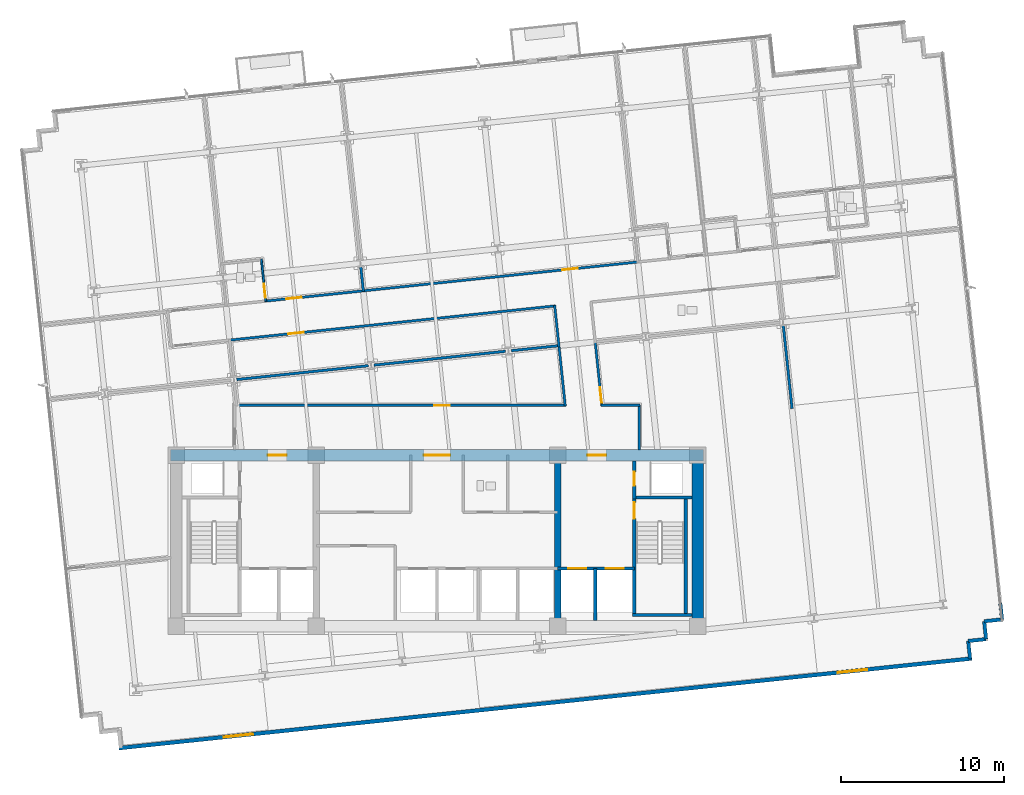
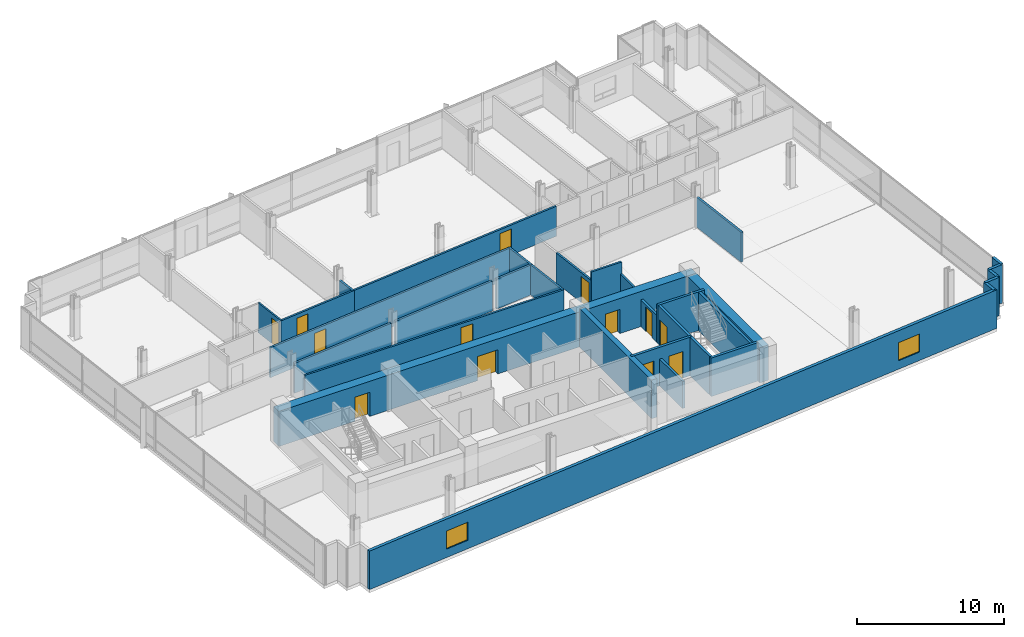
# One storey, part 14 of 21: 31 walls, 13 doors, 2 windows, 15 openings.
"""IFC4 building model written with IfcOpenShell, lengths in metres."""

import ifcopenshell
import ifcopenshell.guid

model = None  # the IFC model being written
_history = None  # IfcOwnerHistory: only IFC2X3 demands one
_inside = {}  # id of a spatial element -> (the spatial element, [elements in it])
_under = {}  # id of a project, library or spatial element -> (it, [spatial elements below it])
_declared = {}  # id of a project -> (the project, [libraries it declares])
_typed = {}  # id of a type object -> (the type object, [elements of that type])
_made_of = {}  # id of a material, layer set ... -> (it, [elements and type objects made of it])


def new_model(schema):
    """Start an empty IFC model of exactly this schema.

    Asked for "IFC4X3", IfcOpenShell would pick the latest addendum, in which some entities
    have other attributes; the version numbers below select the first issue.
    IFC2X3 requires an IfcOwnerHistory on every rooted entity: one is made here for all.
    """
    global model, _history
    if schema == "IFC4X3":
        model = ifcopenshell.file(schema_version=(4, 3, 0, 0))
    else:
        model = ifcopenshell.file(schema=schema)
    _inside.clear()
    _under.clear()
    _declared.clear()
    _typed.clear()
    _made_of.clear()
    _history = None
    if model.schema == "IFC2X3":
        org = make("IfcOrganization", Name="unknown")
        user = make(
            "IfcPersonAndOrganization",
            ThePerson=make("IfcPerson", FamilyName="unknown"),
            TheOrganization=org,
        )
        app = make(
            "IfcApplication",
            ApplicationDeveloper=org,
            Version="unknown",
            ApplicationFullName="unknown",
            ApplicationIdentifier="unknown",
        )
        _history = make(
            "IfcOwnerHistory",
            OwningUser=user,
            OwningApplication=app,
            ChangeAction="ADDED",
            CreationDate=0,
        )
    return model


def make(cls, **values):
    """One entity of the class cls with the attributes given. An attribute that is None is left unset."""
    return model.create_entity(
        cls, **{name: value for name, value in values.items() if value is not None}
    )


def rooted(cls, **values):
    """An entity with a GlobalId (a new one), such as an element, a storey or a relation."""
    return make(cls, GlobalId=ifcopenshell.guid.new(), OwnerHistory=_history, **values)


def si_unit(unit_type, name, prefix=None):
    """IfcSIUnit, for example si_unit("LENGTHUNIT", "METRE", prefix="MILLI")."""
    return make("IfcSIUnit", UnitType=unit_type, Prefix=prefix, Name=name)


def assignment(units):
    """IfcUnitAssignment: the units of a project."""
    return None if units is None else make("IfcUnitAssignment", Units=units)


def point(xyz):
    """IfcCartesianPoint."""
    return None if xyz is None else make("IfcCartesianPoint", Coordinates=xyz)


def direction(xyz):
    """IfcDirection."""
    return None if xyz is None else make("IfcDirection", DirectionRatios=xyz)


def frame(location, z_axis=None, x_axis=None):
    """IfcAxis2Placement3D, a coordinate frame: its origin and axes. An axis left out is left unset."""
    return make(
        "IfcAxis2Placement3D",
        Location=point(location),
        Axis=direction(z_axis),
        RefDirection=direction(x_axis),
    )


def frame_2d(location, x_axis=None):
    """IfcAxis2Placement2D, a coordinate frame in the plane: its origin and x axis."""
    return make(
        "IfcAxis2Placement2D", Location=point(location), RefDirection=direction(x_axis)
    )


def origin():
    """The frame at (0, 0, 0) with its axes left unset."""
    return frame((0.0, 0.0, 0.0))


def place(relative_to, where):
    """IfcLocalPlacement: puts the frame where relative to a parent placement (None: the world)."""
    return make(
        "IfcLocalPlacement", PlacementRelTo=relative_to, RelativePlacement=where
    )


def context(
    kind, dimensions, precision=None, world=None, true_north=None, identifier=None
):
    """IfcGeometricRepresentationContext, for example the 3D "Model" context."""
    return make(
        "IfcGeometricRepresentationContext",
        ContextIdentifier=identifier,
        ContextType=kind,
        CoordinateSpaceDimension=dimensions,
        Precision=precision,
        WorldCoordinateSystem=world,
        TrueNorth=true_north,
    )


def subcontext(parent, identifier, kind, view, scale=None):
    """IfcGeometricRepresentationSubContext, for example "Body" below "Model"."""
    return make(
        "IfcGeometricRepresentationSubContext",
        ContextIdentifier=identifier,
        ContextType=kind,
        ParentContext=parent,
        TargetScale=scale,
        TargetView=view,
    )


def project(units=None, contexts=None):
    """IfcProject with its units and contexts."""
    return rooted(
        "IfcProject",
        Name="project",
        RepresentationContexts=contexts,
        UnitsInContext=assignment(units),
    )


def spatial(cls, under=None, at=None, **own):
    """A site, building, storey or space (cls), placed at a placement, below another one or the project."""
    s = rooted(cls, ObjectPlacement=at, **own)
    if under is not None:
        _under.setdefault(under.id(), (under, []))[1].append(s)
    return s


def profile(cls, at=None, kind="AREA", **sizes):
    """A parametric profile (cls). Its sizes go by their IFC names, for example OverallWidth=200.0."""
    return make(cls, ProfileType=kind, Position=at, **sizes)


def rectangle(**sizes):
    """IfcRectangleProfileDef."""
    return profile("IfcRectangleProfileDef", **sizes)


def extrude(swept, where, along, depth):
    """IfcExtrudedAreaSolid: the profile swept, set in the frame where, extruded along a direction by depth."""
    return make(
        "IfcExtrudedAreaSolid",
        SweptArea=swept,
        Position=where,
        ExtrudedDirection=direction(along),
        Depth=depth,
    )


def shape(context_of_items, identifier, shape_type, items):
    """IfcShapeRepresentation: the items that make up one representation, for example the "Body"."""
    return make(
        "IfcShapeRepresentation",
        ContextOfItems=context_of_items,
        RepresentationIdentifier=identifier,
        RepresentationType=shape_type,
        Items=items,
    )


def material(Name=None, Category=None):
    """IfcMaterial."""
    return make("IfcMaterial", Name=Name, Category=Category)


def layer(
    of_material, thickness, ventilated=None, Name=None, Category=None, Priority=None
):
    """IfcMaterialLayer: one layer of a wall or slab, of a material (None: an air gap)."""
    return make(
        "IfcMaterialLayer",
        Material=of_material,
        LayerThickness=thickness,
        IsVentilated=ventilated,
        Name=Name,
        Category=Category,
        Priority=Priority,
    )


def layer_set(layers, Name=None):
    """IfcMaterialLayerSet."""
    return make("IfcMaterialLayerSet", MaterialLayers=layers, LayerSetName=Name)


def made_of(thing, what):
    """Note that an element or type object is made of a material, layer set ...; save() writes the relation."""
    if what is not None:
        _made_of.setdefault(what.id(), (what, []))[1].append(thing)
    return thing


def type_object(cls, material=None, **own):
    """A type object (cls), such as IfcWallType, which elements share."""
    return made_of(rooted(cls, **own), material)


def element(
    cls,
    number,
    at=None,
    inside=None,
    cuts=None,
    type_object=None,
    material=None,
    context=None,
    identifier="Body",
    shape_type=None,
    held_by="IfcProductDefinitionShape",
    body=None,
    shapes=None,
    **own,
):
    """One element of the class cls, such as IfcWall. Its Tag is "e" and its number.

    at: its placement. inside: the storey or other place that contains it. cuts: it is an
    opening in that element (IfcRelVoidsElement). A single representation is given by context,
    identifier, shape_type and body (its items); several are given by shapes. held_by: the class
    of the entity that holds the representations. save() writes the other relations.
    """
    e = rooted(cls, Tag="e%d" % number, ObjectPlacement=at, **own)
    if body is not None:
        shapes = [shape(context, identifier, shape_type, body)]
    if shapes is not None:
        e.Representation = make(held_by, Representations=shapes)
    if inside is not None:
        _inside.setdefault(inside.id(), (inside, []))[1].append(e)
    if cuts is not None:
        rooted(
            "IfcRelVoidsElement", RelatingBuildingElement=cuts, RelatedOpeningElement=e
        )
    if type_object is not None:
        _typed.setdefault(type_object.id(), (type_object, []))[1].append(e)
    return made_of(e, material)


def fill(opening, filler):
    """IfcRelFillsElement: the door or window that sits in an opening."""
    return rooted(
        "IfcRelFillsElement",
        RelatingOpeningElement=opening,
        RelatedBuildingElement=filler,
    )


def aggregate(whole, parts):
    """IfcRelAggregates: a whole, such as a stair, and the parts it consists of."""
    return rooted("IfcRelAggregates", RelatingObject=whole, RelatedObjects=parts)


def save(model, path):
    """Write the relations noted so far, then the file.

    IfcRelAggregates (storeys below a building ...), IfcRelContainedInSpatialStructure (elements
    in a storey), IfcRelDefinesByType, IfcRelAssociatesMaterial and IfcRelDeclares: one each for
    every whole, place, type object, material and project.
    """
    for whole, parts in _under.values():
        aggregate(whole, parts)
    for where, things in _inside.values():
        rooted(
            "IfcRelContainedInSpatialStructure",
            RelatedElements=things,
            RelatingStructure=where,
        )
    for kind, things in _typed.values():
        rooted("IfcRelDefinesByType", RelatedObjects=things, RelatingType=kind)
    for what, things in _made_of.values():
        rooted("IfcRelAssociatesMaterial", RelatedObjects=things, RelatingMaterial=what)
    for by, libraries in _declared.values():
        rooted("IfcRelDeclares", RelatingContext=by, RelatedDefinitions=libraries)
    model.write(path)


model = new_model("IFC4")

# Units and contexts
model_context = context("Model", 3, precision=1e-05, world=origin(), true_north=direction((0.0, 1.0)))
body_context = subcontext(model_context, "Body", "Model", "MODEL_VIEW")
ifc_project = project(units=[si_unit("LENGTHUNIT", "METRE"), si_unit("AREAUNIT", "SQUARE_METRE"), si_unit("VOLUMEUNIT", "CUBIC_METRE"), si_unit("PLANEANGLEUNIT", "RADIAN"), si_unit("MASSUNIT", "GRAM", prefix="KILO")], contexts=[model_context])

# Site, building, storey
site_placement = place(None, origin())
site = spatial("IfcSite", under=ifc_project, at=site_placement, CompositionType="ELEMENT")
building_placement = place(site_placement, origin())
building = spatial("IfcBuilding", under=site, at=building_placement, Name="Solmavex Isthmus Hotel", CompositionType="ELEMENT")
storey_placement = place(building_placement, frame((0.0, 0.0, 113.25)))
storey = spatial("IfcBuildingStorey", under=building, at=storey_placement, Name="L30", CompositionType="ELEMENT", Elevation=113.25)

# Wall, openings, windows
ifc_material_1 = material(Name="Precast Concrete C40/50", Category="concrete")
ifc_layer_1 = layer(ifc_material_1, 0.25)
ifc_layer_set_1 = layer_set([ifc_layer_1], Name="Precast Concrete C40/50")
wall_type_1 = type_object("IfcWallType", Name="EW-TWR-250", PredefinedType="STANDARD", material=ifc_layer_set_1)
wall_1_placement = place(storey_placement, frame((-19.504150390625, -20.4716796875, 0.0), z_axis=(0.0, 0.0, 1.0), x_axis=(0.994521743132, 0.104529911687, 0.0)))
wall_1 = element("IfcWall", 1, at=wall_1_placement, inside=storey, type_object=wall_type_1, Name="Tower Rear South Facade Wall L30", PredefinedType="STANDARD", context=body_context, shape_type="SweptSolid", body=[
    extrude(rectangle(XDim=52.60009765625, YDim=0.239990234375, at=frame_2d((26.300048828125, 0.0))), origin(), (0.0, 0.0, 1.0), 3.18994140625),
])
opening_1_placement = place(wall_1_placement, frame((6.464111328125, 0.0, 0.699951171875)))
opening_1 = element("IfcOpeningElement", 2, at=opening_1_placement, cuts=wall_1, Name="Opening WN-02", PredefinedType="OPENING", context=body_context, shape_type="SweptSolid", body=[
    extrude(rectangle(XDim=1.800048828125, YDim=1.5, at=frame_2d((0.89990234375, 0.75))), frame((0.0, 0.1298828125, 0.0), z_axis=(0.0, -1.0, 0.0), x_axis=(1.0, 0.0, 0.0)), (0.0, 0.0, 1.0), 0.260009765625),
])
opening_2_placement = place(wall_1_placement, frame((44.3359375, 0.0, 0.699951171875)))
opening_2 = element("IfcOpeningElement", 3, at=opening_2_placement, cuts=wall_1, Name="Opening WN-02", PredefinedType="OPENING", context=body_context, shape_type="SweptSolid", body=[
    extrude(rectangle(XDim=1.800048828125, YDim=1.5, at=frame_2d((0.89990234375, 0.75))), frame((0.0, 0.1298828125, 0.0), z_axis=(0.0, -1.0, 0.0), x_axis=(1.0, 0.0, 0.0)), (0.0, 0.0, 1.0), 0.260009765625),
])
ifc_material_2 = material(Name="Clear low-E laminated glass", Category="glass")
window_type = type_object("IfcWindowType", Name="WIN-TWR-1800", PartitioningType="SINGLE_PANEL", PredefinedType="WINDOW", material=ifc_material_2)
window_1_placement = place(opening_1_placement, origin())
window_1 = element("IfcWindow", 4, at=window_1_placement, inside=storey, type_object=window_type, Name="South Facade Vision Window L30-S1", OverallHeight=1.5, OverallWidth=1.800048828125, PartitioningType="SINGLE_PANEL", PredefinedType="WINDOW", context=body_context, shape_type="SweptSolid", body=[
    extrude(rectangle(XDim=1.800048828125, YDim=1.5, at=frame_2d((0.89990234375, 0.75))), frame((0.0, 0.030029296875, 0.0), z_axis=(0.0, -1.0, 0.0), x_axis=(1.0, 0.0, 0.0)), (0.0, 0.0, 1.0), 0.06005859375),
])
fill(opening_1, window_1)
window_2_placement = place(opening_2_placement, origin())
window_2 = element("IfcWindow", 5, at=window_2_placement, inside=storey, type_object=window_type, Name="South Facade Vision Window L30-S2", OverallHeight=1.5, OverallWidth=1.800048828125, PartitioningType="SINGLE_PANEL", PredefinedType="WINDOW", context=body_context, shape_type="SweptSolid", body=[
    extrude(rectangle(XDim=1.800048828125, YDim=1.5, at=frame_2d((0.89990234375, 0.75))), frame((0.0, 0.030029296875, 0.0), z_axis=(0.0, -1.0, 0.0), x_axis=(1.0, 0.0, 0.0)), (0.0, 0.0, 1.0), 0.06005859375),
])
fill(opening_2, window_2)

# Walls
wall_2_placement = place(storey_placement, frame((34.553955078125, -11.59228515625, 0.0), z_axis=(0.0, 0.0, 1.0), x_axis=(0.104556418955, -0.99451895671, 0.0)))
element("IfcWall", 6, at=wall_2_placement, inside=storey, type_object=wall_type_1, Name="Serrated Corner Facade Panel L30-21", PredefinedType="STANDARD", context=body_context, shape_type="SweptSolid", body=[
    extrude(rectangle(XDim=0.989990234375, YDim=0.219970703125, at=frame_2d((0.4951171875, 0.0))), origin(), (0.0, 0.0, 1.0), 3.18994140625),
])
for number, where, z_axis, x_axis, name in (
    (7, (34.657470703125, -12.576904296875, 0.0), (0.0, 0.0, 1.0), (-0.994521251134, -0.104534592565, 0.0), "Serrated Corner Facade Panel L30-22"),
    (8, (33.5634765625, -12.69189453125, 0.0), (0.0, 0.0, 1.0), (0.104534592565, -0.994521251134, 0.0), "Serrated Corner Facade Panel L30-23"),
    (9, (33.678466796875, -13.785888671875, 0.0), (0.0, 0.0, 1.0), (-0.994521251134, -0.104534592565, 0.0), "Serrated Corner Facade Panel L30-24"),
    (10, (32.58447265625, -13.90087890625, 0.0), (0.0, 0.0, 1.0), (0.104534592565, -0.994521251134, 0.0), "Serrated Corner Facade Panel L30-25"),
):
    element("IfcWall", number, at=place(storey_placement, frame(where, z_axis=z_axis, x_axis=x_axis)), inside=storey, type_object=wall_type_1, Name=name, PredefinedType="STANDARD", context=body_context, shape_type="SweptSolid", body=[
        extrude(rectangle(XDim=1.10009765625, YDim=0.219970703125, at=frame_2d((0.550048828125, 0.0))), origin(), (0.0, 0.0, 1.0), 3.18994140625),
    ])
ifc_material_3 = material(Name="Gypsum plasterboard lining", Category="gypsum")
ifc_layer_2 = layer(ifc_material_3, 0.159912109375)
ifc_layer_set_2 = layer_set([ifc_layer_2], Name="Gypsum plasterboard lining")
wall_type_2 = type_object("IfcWallType", Name="IW-COMP-160", PredefinedType="PARTITIONING", material=ifc_layer_set_2)
wall_3_placement = place(storey_placement, frame((-4.678955078125, 9.091796875, 0.0), z_axis=(0.0, 0.0, 1.0), x_axis=(0.104424383811, -0.994532829054, 0.0)))
element("IfcWall", 11, at=wall_3_placement, inside=storey, type_object=wall_type_2, Name="Interior Partition Wall W-L30-P032", PredefinedType="PARTITIONING", context=body_context, shape_type="SweptSolid", body=[
    extrude(rectangle(XDim=1.561767578125, YDim=0.159912109375, at=frame_2d((0.78076171875, 0.0))), origin(), (0.0, 0.0, 1.0), 2.4794921875),
])
wall_4_placement = place(storey_placement, frame((-4.21435546875, 2.985107421875, 0.0), z_axis=(0.0, 0.0, 1.0), x_axis=(-0.994521269983, -0.104534413238, 0.0)))
element("IfcWall", 12, at=wall_4_placement, inside=storey, type_object=wall_type_2, Name="Interior Partition Wall W-L30-P060", PredefinedType="PARTITIONING", context=body_context, shape_type="SweptSolid", body=[
    extrude(rectangle(XDim=8.113525390625, YDim=0.159912109375, at=frame_2d((4.056640625, 0.0))), origin(), (0.0, 0.0, 1.0), 2.4794921875),
])
wall_5_placement = place(storey_placement, frame((4.205322265625, 3.8701171875, 0.0), z_axis=(0.0, 0.0, 1.0), x_axis=(-0.994521598781, -0.104531285071, 0.0)))
element("IfcWall", 13, at=wall_5_placement, inside=storey, type_object=wall_type_2, Name="Interior Partition Wall W-L30-P061", PredefinedType="PARTITIONING", context=body_context, shape_type="SweptSolid", body=[
    extrude(rectangle(XDim=8.11376953125, YDim=0.159912109375, at=frame_2d((4.056884765625, 0.0))), origin(), (0.0, 0.0, 1.0), 2.4794921875),
])
wall_6_placement = place(storey_placement, frame((7.51611328125, 4.218017578125, 0.0), z_axis=(0.0, 0.0, 1.0), x_axis=(-0.994526106058, -0.104488393462, 0.0)))
element("IfcWall", 14, at=wall_6_placement, inside=storey, type_object=wall_type_2, Name="Interior Partition Wall W-L30-P062", PredefinedType="PARTITIONING", context=body_context, shape_type="SweptSolid", body=[
    extrude(rectangle(XDim=2.976806640625, YDim=0.159912109375, at=frame_2d((1.48828125, 0.0))), origin(), (0.0, 0.0, 1.0), 2.4794921875),
])
wall_7_placement = place(storey_placement, frame((21.77783203125, 0.34765625, 0.0), z_axis=(0.0, 0.0, 1.0), x_axis=(-0.10453465518, 0.994521244553, 0.0)))
element("IfcWall", 15, at=wall_7_placement, inside=storey, type_object=wall_type_2, Name="Interior Partition Wall W-L30-P065", PredefinedType="PARTITIONING", context=body_context, shape_type="SweptSolid", body=[
    extrude(rectangle(XDim=5.163818359375, YDim=0.159912109375, at=frame_2d((2.58203125, 0.0))), origin(), (0.0, 0.0, 1.0), 2.4794921875),
])

# Wall, opening, door
ifc_layer_3 = layer(ifc_material_3, 0.14990234375)
ifc_layer_set_3 = layer_set([ifc_layer_3], Name="Gypsum plasterboard lining")
wall_type_3 = type_object("IfcWallType", Name="IW-CORR-150", PredefinedType="PARTITIONING", material=ifc_layer_set_3)
wall_8_placement = place(storey_placement, frame((-10.58447265625, 6.94091796875, 0.0), z_axis=(0.0, 0.0, 1.0), x_axis=(0.994521460108, 0.104532604411, 0.0)))
wall_8 = element("IfcWall", 16, at=wall_8_placement, inside=storey, type_object=wall_type_3, Name="Interior Partition Wall W-L30-P002", PredefinedType="PARTITIONING", context=body_context, shape_type="SweptSolid", body=[
    extrude(rectangle(XDim=6.179931640625, YDim=0.14990234375, at=frame_2d((3.08984375, 0.0))), origin(), (0.0, 0.0, 1.0), 2.4794921875),
])
opening_3_placement = place(wall_8_placement, frame((1.333984375, 0.0, 0.0)))
opening_3 = element("IfcOpeningElement", 17, at=opening_3_placement, cuts=wall_8, Name="Opening ID-C095", PredefinedType="OPENING", context=body_context, shape_type="SweptSolid", body=[
    extrude(rectangle(XDim=0.949951171875, YDim=2.14990234375, at=frame_2d((0.47509765625, 1.074951171875))), frame((0.0, 0.0849609375, 0.0), z_axis=(0.0, -1.0, 0.0), x_axis=(1.0, 0.0, 0.0)), (0.0, 0.0, 1.0), 0.169921875),
])
ifc_material_4 = material(Name="Hardwood timber", Category="wood")
door_type_1 = type_object("IfcDoorType", Name="IDR-FD60-0950", OperationType="NOTDEFINED", PredefinedType="DOOR", material=ifc_material_4)
door_1_placement = place(opening_3_placement, frame((0.949951171875, 0.0, 0.0), z_axis=(0.0, 0.0, 1.0), x_axis=(-1.0, 0.0, 0.0)))
door_1 = element("IfcDoor", 18, at=door_1_placement, inside=storey, type_object=door_type_1, Name="Premier Suite Door L30-02", OperationType="SINGLE_SWING_RIGHT", OverallHeight=2.14990234375, OverallWidth=0.949951171875, PredefinedType="DOOR", context=body_context, shape_type="SweptSolid", body=[
    extrude(rectangle(XDim=0.949951171875, YDim=2.14990234375, at=frame_2d((0.47509765625, 1.074951171875))), frame((0.0, 0.02490234375, 0.0), z_axis=(0.0, -1.0, 0.0), x_axis=(1.0, 0.0, 0.0)), (0.0, 0.0, 1.0), 0.050048828125),
])
fill(opening_3, door_1)

wall_9_placement = place(storey_placement, frame((-4.6015625, 7.56982421875, 0.0), z_axis=(0.0, 0.0, 1.0), x_axis=(0.994522888708, 0.104519011838, 0.0)))
wall_9 = element("IfcWall", 19, at=wall_9_placement, inside=storey, type_object=wall_type_3, Name="Interior Partition Wall W-L30-P004", PredefinedType="PARTITIONING", context=body_context, shape_type="SweptSolid", body=[
    extrude(rectangle(XDim=17.09619140625, YDim=0.14990234375, at=frame_2d((8.548095703125, 0.0))), origin(), (0.0, 0.0, 1.0), 2.4794921875),
])
opening_4_placement = place(wall_9_placement, frame((12.361083984375, 0.0, 0.0)))
opening_4 = element("IfcOpeningElement", 20, at=opening_4_placement, cuts=wall_9, Name="Opening ID-C095", PredefinedType="OPENING", context=body_context, shape_type="SweptSolid", body=[
    extrude(rectangle(XDim=0.949951171875, YDim=2.14990234375, at=frame_2d((0.47509765625, 1.074951171875))), frame((0.0, 0.0849609375, 0.0), z_axis=(0.0, -1.0, 0.0), x_axis=(1.0, 0.0, 0.0)), (0.0, 0.0, 1.0), 0.169921875),
])
door_2_placement = place(opening_4_placement, frame((0.949951171875, 0.0, 0.0), z_axis=(0.0, 0.0, 1.0), x_axis=(-1.0, 0.0, 0.0)))
door_2 = element("IfcDoor", 21, at=door_2_placement, inside=storey, type_object=door_type_1, Name="Corporate Briefing Office Door L30-04", OperationType="SINGLE_SWING_RIGHT", OverallHeight=2.14990234375, OverallWidth=0.949951171875, PredefinedType="DOOR", context=body_context, shape_type="SweptSolid", body=[
    extrude(rectangle(XDim=0.949951171875, YDim=2.14990234375, at=frame_2d((0.47509765625, 1.074951171875))), frame((0.0, 0.02490234375, 0.0), z_axis=(0.0, -1.0, 0.0), x_axis=(1.0, 0.0, 0.0)), (0.0, 0.0, 1.0), 0.050048828125),
])
fill(opening_4, door_2)

# Wall
wall_10_placement = place(storey_placement, frame((7.485107421875, 4.13232421875, 0.0), z_axis=(0.0, 0.0, 1.0), x_axis=(-0.104605724594, 0.994513771841, 0.0)))
element("IfcWall", 22, at=wall_10_placement, inside=storey, type_object=wall_type_3, Name="Interior Partition Wall W-L30-P014", PredefinedType="PARTITIONING", context=body_context, shape_type="SweptSolid", body=[
    extrude(rectangle(XDim=2.572021484375, YDim=0.14990234375, at=frame_2d((1.2861328125, 0.0))), origin(), (0.0, 0.0, 1.0), 2.4794921875),
])

# Wall, opening, door
wall_11_placement = place(storey_placement, frame((7.260009765625, 6.654541015625, 0.0), z_axis=(0.0, 0.0, 1.0), x_axis=(-0.994522421445, -0.104523457861, 0.0)))
wall_11 = element("IfcWall", 23, at=wall_11_placement, inside=storey, type_object=wall_type_3, Name="Interior Partition Wall W-L30-P015", PredefinedType="PARTITIONING", context=body_context, shape_type="SweptSolid", body=[
    extrude(rectangle(XDim=20.166748046875, YDim=0.14990234375, at=frame_2d((10.08349609375, 0.0))), origin(), (0.0, 0.0, 1.0), 2.4794921875),
])
opening_5_placement = place(wall_11_placement, frame((15.51416015625, 0.0, 0.0)))
opening_5 = element("IfcOpeningElement", 24, at=opening_5_placement, cuts=wall_11, Name="Opening ID-C095", PredefinedType="OPENING", context=body_context, shape_type="SweptSolid", body=[
    extrude(rectangle(XDim=0.949951171875, YDim=2.14990234375, at=frame_2d((0.47509765625, 1.074951171875))), frame((0.0, 0.0849609375, 0.0), z_axis=(0.0, -1.0, 0.0), x_axis=(1.0, 0.0, 0.0)), (0.0, 0.0, 1.0), 0.169921875),
])
door_3_placement = place(opening_5_placement, frame((0.949951171875, 0.0, 0.0), z_axis=(0.0, 0.0, 1.0), x_axis=(-1.0, 0.0, 0.0)))
door_3 = element("IfcDoor", 25, at=door_3_placement, inside=storey, type_object=door_type_1, Name="Club Reading Library Door L30-15", OperationType="SINGLE_SWING_LEFT", OverallHeight=2.14990234375, OverallWidth=0.949951171875, PredefinedType="DOOR", context=body_context, shape_type="SweptSolid", body=[
    extrude(rectangle(XDim=0.949951171875, YDim=2.14990234375, at=frame_2d((0.47509765625, 1.074951171875))), frame((0.0, 0.02490234375, 0.0), z_axis=(0.0, -1.0, 0.0), x_axis=(1.0, 0.0, 0.0)), (0.0, 0.0, 1.0), 0.050048828125),
])
fill(opening_5, door_3)

wall_12_placement = place(storey_placement, frame((-12.376220703125, 0.550048828125, 0.0), z_axis=(0.0, 0.0, 1.0), x_axis=(1.0, 0.0, 0.0)))
wall_12 = element("IfcWall", 26, at=wall_12_placement, inside=storey, type_object=wall_type_3, Name="Interior Partition Wall W-L30-P016", PredefinedType="PARTITIONING", context=body_context, shape_type="SweptSolid", body=[
    extrude(rectangle(XDim=20.27783203125, YDim=0.14990234375, at=frame_2d((10.138916015625, 0.0))), origin(), (0.0, 0.0, 1.0), 2.4794921875),
])
opening_6_placement = place(wall_12_placement, frame((12.208740234375, 0.0, 0.0)))
opening_6 = element("IfcOpeningElement", 27, at=opening_6_placement, cuts=wall_12, Name="Opening ID-C095", PredefinedType="OPENING", context=body_context, shape_type="SweptSolid", body=[
    extrude(rectangle(XDim=0.949951171875, YDim=2.14990234375, at=frame_2d((0.47509765625, 1.074951171875))), frame((0.0, 0.0849609375, 0.0), z_axis=(0.0, -1.0, 0.0), x_axis=(1.0, 0.0, 0.0)), (0.0, 0.0, 1.0), 0.169921875),
])
door_4_placement = place(opening_6_placement, frame((0.949951171875, 0.0, 0.0), z_axis=(0.0, 0.0, 1.0), x_axis=(-1.0, 0.0, 0.0)))
door_4 = element("IfcDoor", 28, at=door_4_placement, inside=storey, type_object=door_type_1, Name="Executive Meeting Room Door L30-16", OperationType="SINGLE_SWING_RIGHT", OverallHeight=2.14990234375, OverallWidth=0.949951171875, PredefinedType="DOOR", context=body_context, shape_type="SweptSolid", body=[
    extrude(rectangle(XDim=0.949951171875, YDim=2.14990234375, at=frame_2d((0.47509765625, 1.074951171875))), frame((0.0, 0.02490234375, 0.0), z_axis=(0.0, -1.0, 0.0), x_axis=(1.0, 0.0, 0.0)), (0.0, 0.0, 1.0), 0.050048828125),
])
fill(opening_6, door_4)

# Wall
wall_13_placement = place(storey_placement, frame((7.86572265625, 0.51025390625, 0.0), z_axis=(0.0, 0.0, 1.0), x_axis=(-0.104557897706, 0.994518801244, 0.0)))
element("IfcWall", 29, at=wall_13_placement, inside=storey, type_object=wall_type_3, Name="Interior Partition Wall W-L30-P017", PredefinedType="PARTITIONING", context=body_context, shape_type="SweptSolid", body=[
    extrude(rectangle(XDim=3.805908203125, YDim=0.14990234375, at=frame_2d((1.90283203125, 0.0))), origin(), (0.0, 0.0, 1.0), 2.4794921875),
])

# Wall, opening, door
wall_14_placement = place(storey_placement, frame((9.695556640625, 4.529541015625, 0.0), z_axis=(0.0, 0.0, 1.0), x_axis=(0.104568433906, -0.994517693473, 0.0)))
wall_14 = element("IfcWall", 30, at=wall_14_placement, inside=storey, type_object=wall_type_3, Name="Interior Partition Wall W-L30-P021", PredefinedType="PARTITIONING", context=body_context, shape_type="SweptSolid", body=[
    extrude(rectangle(XDim=4.04150390625, YDim=0.14990234375, at=frame_2d((2.020751953125, 0.0))), origin(), (0.0, 0.0, 1.0), 2.4794921875),
])
opening_7_placement = place(wall_14_placement, frame((2.876708984375, 0.0, 0.0)))
opening_7 = element("IfcOpeningElement", 31, at=opening_7_placement, cuts=wall_14, Name="Opening ID-C095", PredefinedType="OPENING", context=body_context, shape_type="SweptSolid", body=[
    extrude(rectangle(XDim=0.949951171875, YDim=2.14990234375, at=frame_2d((0.47509765625, 1.074951171875))), frame((0.0, 0.0849609375, 0.0), z_axis=(0.0, -1.0, 0.0), x_axis=(1.0, 0.0, 0.0)), (0.0, 0.0, 1.0), 0.169921875),
])
door_5_placement = place(opening_7_placement, frame((0.949951171875, 0.0, 0.0), z_axis=(0.0, 0.0, 1.0), x_axis=(-1.0, 0.0, 0.0)))
door_5 = element("IfcDoor", 32, at=door_5_placement, inside=storey, type_object=door_type_1, Name="Corporate Briefing Office Door L30-20", OperationType="SINGLE_SWING_RIGHT", OverallHeight=2.14990234375, OverallWidth=0.949951171875, PredefinedType="DOOR", context=body_context, shape_type="SweptSolid", body=[
    extrude(rectangle(XDim=0.949951171875, YDim=2.14990234375, at=frame_2d((0.47509765625, 1.074951171875))), frame((0.0, 0.02490234375, 0.0), z_axis=(0.0, -1.0, 0.0), x_axis=(1.0, 0.0, 0.0)), (0.0, 0.0, 1.0), 0.050048828125),
])
fill(opening_7, door_5)

# Walls
wall_15_placement = place(storey_placement, frame((10.073974609375, 0.550048828125, 0.0), z_axis=(0.0, 0.0, 1.0), x_axis=(1.0, 0.0, 0.0)))
element("IfcWall", 33, at=wall_15_placement, inside=storey, type_object=wall_type_3, Name="Interior Partition Wall W-L30-P022", PredefinedType="PARTITIONING", context=body_context, shape_type="SweptSolid", body=[
    extrude(rectangle(XDim=2.365966796875, YDim=0.14990234375, at=frame_2d((1.18310546875, 0.0))), origin(), (0.0, 0.0, 1.0), 3.18994140625),
])
wall_16_placement = place(storey_placement, frame((12.39990234375, 0.590087890625, 0.0), z_axis=(0.0, 0.0, 1.0), x_axis=(0.0, -1.0, 0.0)))
element("IfcWall", 34, at=wall_16_placement, inside=storey, type_object=wall_type_3, Name="Interior Partition Wall W-L30-P023", PredefinedType="PARTITIONING", context=body_context, shape_type="SweptSolid", body=[
    extrude(rectangle(XDim=2.780029296875, YDim=0.14990234375, at=frame_2d((1.39013671875, 0.0))), origin(), (0.0, 0.0, 1.0), 2.22509765625),
])

# Wall, opening, door
ifc_layer_4 = layer(ifc_material_3, 0.1201171875)
ifc_layer_set_4 = layer_set([ifc_layer_4], Name="Gypsum plasterboard lining")
wall_type_4 = type_object("IfcWallType", Name="IW-PART-120", PredefinedType="PARTITIONING", material=ifc_layer_set_4)
wall_17_placement = place(storey_placement, frame((-10.498779296875, 6.90966796875, 0.0), z_axis=(0.0, 0.0, 1.0), x_axis=(-0.104520496269, 0.994522732701, 0.0)))
wall_17 = element("IfcWall", 35, at=wall_17_placement, inside=storey, type_object=wall_type_4, Name="Interior Partition Wall W-L30-P028", PredefinedType="PARTITIONING", context=body_context, shape_type="SweptSolid", body=[
    extrude(rectangle(XDim=2.630126953125, YDim=0.1201171875, at=frame_2d((1.31494140625, 0.0))), origin(), (0.0, 0.0, 1.0), 2.4794921875),
])
opening_8_placement = place(wall_17_placement, frame((0.247314453125, 0.0, 0.0)))
opening_8 = element("IfcOpeningElement", 36, at=opening_8_placement, cuts=wall_17, Name="Opening ID-U085", PredefinedType="OPENING", context=body_context, shape_type="SweptSolid", body=[
    extrude(rectangle(XDim=0.85009765625, YDim=2.10009765625, at=frame_2d((0.425048828125, 1.050048828125))), frame((0.0, 0.070068359375, 0.0), z_axis=(0.0, -1.0, 0.0), x_axis=(1.0, 0.0, 0.0)), (0.0, 0.0, 1.0), 0.14013671875),
])
door_type_2 = type_object("IfcDoorType", Name="IDR-UNR-0850", OperationType="NOTDEFINED", PredefinedType="DOOR", material=ifc_material_4)
door_6_placement = place(opening_8_placement, frame((0.85009765625, 0.0, 0.0), z_axis=(0.0, 0.0, 1.0), x_axis=(-1.0, 0.0, 0.0)))
door_6 = element("IfcDoor", 37, at=door_6_placement, inside=storey, type_object=door_type_2, Name="En-suite Bathroom Door L30-03", OperationType="SINGLE_SWING_LEFT", OverallHeight=2.10009765625, OverallWidth=0.85009765625, PredefinedType="DOOR", context=body_context, shape_type="SweptSolid", body=[
    extrude(rectangle(XDim=0.85009765625, YDim=2.10009765625, at=frame_2d((0.425048828125, 1.050048828125))), frame((0.0, 0.02490234375, 0.0), z_axis=(0.0, -1.0, 0.0), x_axis=(1.0, 0.0, 0.0)), (0.0, 0.0, 1.0), 0.050048828125),
])
fill(opening_8, door_6)

ifc_material_5 = material(Name="Concrete C40/50", Category="concrete")
ifc_layer_5 = layer(ifc_material_5, 0.199951171875)
ifc_layer_set_5 = layer_set([ifc_layer_5], Name="Concrete C40/50")
wall_type_5 = type_object("IfcWallType", Name="IW-SHAFT-200", PredefinedType="PARTITIONING", material=ifc_layer_set_5)
wall_18_placement = place(storey_placement, frame((12.10009765625, -5.199951171875, 0.0), z_axis=(0.0, 0.0, 1.0), x_axis=(0.0, 1.0, 0.0)))
wall_18 = element("IfcWall", 38, at=wall_18_placement, inside=storey, type_object=wall_type_5, Name="Interior Partition Wall W-L30-RSE-W", PredefinedType="PARTITIONING", context=body_context, shape_type="SweptSolid", body=[
    extrude(rectangle(XDim=2.349853515625, YDim=0.199951171875, at=frame_2d((1.1748046875, 0.0))), origin(), (0.0, 0.0, 1.0), 2.22509765625),
])
opening_9_placement = place(wall_18_placement, frame((0.824951171875, 0.0, 0.0)))
opening_9 = element("IfcOpeningElement", 39, at=opening_9_placement, cuts=wall_18, Name="Opening ID-R085", PredefinedType="OPENING", context=body_context, shape_type="SweptSolid", body=[
    extrude(rectangle(XDim=0.85009765625, YDim=2.050048828125, at=frame_2d((0.425048828125, 1.02490234375))), frame((0.0, 0.10986328125, 0.0), z_axis=(0.0, -1.0, 0.0), x_axis=(1.0, 0.0, 0.0)), (0.0, 0.0, 1.0), 0.219970703125),
])
ifc_material_6 = material(Name="Steel ASTM A500 Grade C", Category="steel")
door_type_3 = type_object("IfcDoorType", Name="IDR-FD60-0850", OperationType="NOTDEFINED", PredefinedType="DOOR", material=ifc_material_6)
door_7_placement = place(opening_9_placement, frame((0.85009765625, 0.0, 0.0), z_axis=(0.0, 0.0, 1.0), x_axis=(-1.0, 0.0, 0.0)))
door_7 = element("IfcDoor", 40, at=door_7_placement, inside=storey, type_object=door_type_3, Name="Mechanical Riser Door L30", OperationType="SINGLE_SWING_LEFT", OverallHeight=2.050048828125, OverallWidth=0.85009765625, PredefinedType="DOOR", context=body_context, shape_type="SweptSolid", body=[
    extrude(rectangle(XDim=0.85009765625, YDim=2.050048828125, at=frame_2d((0.425048828125, 1.02490234375))), frame((0.0, 0.02490234375, 0.0), z_axis=(0.0, -1.0, 0.0), x_axis=(1.0, 0.0, 0.0)), (0.0, 0.0, 1.0), 0.050048828125),
])
fill(opening_9, door_7)

# Wall, openings, doors
wall_19_placement = place(storey_placement, frame((7.39990234375, -9.449951171875, 0.0), z_axis=(0.0, 0.0, 1.0), x_axis=(1.0, 0.0, 0.0)))
wall_19 = element("IfcWall", 41, at=wall_19_placement, inside=storey, type_object=wall_type_5, Name="Interior Partition Wall W-L30-FFLE-S", PredefinedType="PARTITIONING", context=body_context, shape_type="SweptSolid", body=[
    extrude(rectangle(XDim=4.7001953125, YDim=0.199951171875, at=frame_2d((2.35009765625, 0.0))), origin(), (0.0, 0.0, 1.0), 3.18994140625),
])
opening_10_placement = place(wall_19_placement, frame((2.949951171875, 0.0, 0.0)))
opening_10 = element("IfcOpeningElement", 42, at=opening_10_placement, cuts=wall_19, Name="Opening LD-FF", PredefinedType="OPENING", context=body_context, shape_type="SweptSolid", body=[
    extrude(rectangle(XDim=1.10009765625, YDim=2.199951171875, at=frame_2d((0.550048828125, 1.10009765625))), frame((0.0, 0.10986328125, 0.0), z_axis=(0.0, -1.0, 0.0), x_axis=(1.0, 0.0, 0.0)), (0.0, 0.0, 1.0), 0.219970703125),
])
opening_11_placement = place(wall_19_placement, frame((0.64990234375, 0.0, 0.0)))
opening_11 = element("IfcOpeningElement", 43, at=opening_11_placement, cuts=wall_19, Name="Opening LD-SV", PredefinedType="OPENING", context=body_context, shape_type="SweptSolid", body=[
    extrude(rectangle(XDim=1.10009765625, YDim=2.199951171875, at=frame_2d((0.550048828125, 1.10009765625))), frame((0.0, 0.10986328125, 0.0), z_axis=(0.0, -1.0, 0.0), x_axis=(1.0, 0.0, 0.0)), (0.0, 0.0, 1.0), 0.219970703125),
])
ifc_material_7 = material(Name="Stainless steel 316", Category="steel")
door_type_4 = type_object("IfcDoorType", Name="LDR-FF-1100", OperationType="NOTDEFINED", PredefinedType="DOOR", material=ifc_material_7)
door_8_placement = place(opening_10_placement, origin())
door_8 = element("IfcDoor", 44, at=door_8_placement, inside=storey, type_object=door_type_4, Name="Lift Landing Door FFL-2 L30", OperationType="SLIDING_TO_LEFT", OverallHeight=2.199951171875, OverallWidth=1.10009765625, PredefinedType="DOOR", context=body_context, shape_type="SweptSolid", body=[
    extrude(rectangle(XDim=1.10009765625, YDim=2.199951171875, at=frame_2d((0.550048828125, 1.10009765625))), frame((0.0, 0.02490234375, 0.0), z_axis=(0.0, -1.0, 0.0), x_axis=(1.0, 0.0, 0.0)), (0.0, 0.0, 1.0), 0.050048828125),
])
fill(opening_10, door_8)
door_type_5 = type_object("IfcDoorType", Name="LDR-SV-1100", OperationType="NOTDEFINED", PredefinedType="DOOR", material=ifc_material_7)
door_9_placement = place(opening_11_placement, origin())
door_9 = element("IfcDoor", 45, at=door_9_placement, inside=storey, type_object=door_type_5, Name="Lift Landing Door SVL-2 L30", OperationType="SLIDING_TO_RIGHT", OverallHeight=2.199951171875, OverallWidth=1.10009765625, PredefinedType="DOOR", context=body_context, shape_type="SweptSolid", body=[
    extrude(rectangle(XDim=1.10009765625, YDim=2.199951171875, at=frame_2d((0.550048828125, 1.10009765625))), frame((0.0, 0.02490234375, 0.0), z_axis=(0.0, -1.0, 0.0), x_axis=(1.0, 0.0, 0.0)), (0.0, 0.0, 1.0), 0.050048828125),
])
fill(opening_11, door_9)

# Walls
wall_20_placement = place(storey_placement, frame((9.699951171875, -12.64990234375, 0.0), z_axis=(0.0, 0.0, 1.0), x_axis=(0.0, 1.0, 0.0)))
element("IfcWall", 46, at=wall_20_placement, inside=storey, type_object=wall_type_5, Name="Interior Partition Wall W-L30-FFLE-M", PredefinedType="PARTITIONING", context=body_context, shape_type="SweptSolid", body=[
    extrude(rectangle(XDim=3.199951171875, YDim=0.199951171875, at=frame_2d((1.60009765625, 0.0))), origin(), (0.0, 0.0, 1.0), 2.22509765625),
])
ifc_material_8 = material(Name="Concrete C60/75", Category="concrete")
ifc_layer_6 = layer(ifc_material_8, 0.39990234375)
ifc_layer_set_6 = layer_set([ifc_layer_6], Name="Concrete C60/75")
wall_type_6 = type_object("IfcWallType", Name="WALL-CW-400M", PredefinedType="SHEAR", material=ifc_layer_set_6)
wall_21_placement = place(storey_placement, frame((7.39990234375, -12.64990234375, 0.0), z_axis=(0.0, 0.0, 1.0), x_axis=(0.0, 1.0, 0.0)))
element("IfcWall", 47, at=wall_21_placement, inside=storey, type_object=wall_type_6, Name="Core Cross Shear Wall C2 L30", PredefinedType="SHEAR", context=body_context, shape_type="SweptSolid", body=[
    extrude(rectangle(XDim=9.7998046875, YDim=0.39990234375, at=frame_2d((4.89990234375, 0.0))), origin(), (0.0, 0.0, 1.0), 3.18994140625),
])

# Wall, openings, doors
ifc_layer_7 = layer(ifc_material_8, 0.699951171875)
ifc_layer_set_7 = layer_set([ifc_layer_7], Name="Concrete C60/75")
wall_type_7 = type_object("IfcWallType", Name="WALL-CW-700", PredefinedType="SHEAR", material=ifc_layer_set_7)
wall_22_placement = place(storey_placement, frame((-16.35009765625, -2.5, 0.0), z_axis=(0.0, 0.0, 1.0), x_axis=(1.0, 0.0, 0.0)))
wall_22 = element("IfcWall", 48, at=wall_22_placement, inside=storey, type_object=wall_type_7, Name="Core Shear Wall North L30", PredefinedType="SHEAR", context=body_context, shape_type="SweptSolid", body=[
    extrude(rectangle(XDim=32.7001953125, YDim=0.699951171875, at=frame_2d((16.35009765625, 0.0))), origin(), (0.0, 0.0, 1.0), 2.909912109375),
])
opening_12_placement = place(wall_22_placement, frame((5.97509765625, 0.0, 0.0)))
opening_12 = element("IfcOpeningElement", 49, at=opening_12_placement, cuts=wall_22, Name="Opening ID-F915", PredefinedType="OPENING", context=body_context, shape_type="SweptSolid", body=[
    extrude(rectangle(XDim=1.14990234375, YDim=2.0, at=frame_2d((0.574951171875, 1.0))), frame((0.0, 0.35986328125, 0.0), z_axis=(0.0, -1.0, 0.0), x_axis=(1.0, 0.0, 0.0)), (0.0, 0.0, 1.0), 0.719970703125),
])
opening_13_placement = place(wall_22_placement, frame((15.550048828125, 0.0, 0.0)))
opening_13 = element("IfcOpeningElement", 50, at=opening_13_placement, cuts=wall_22, Name="Opening ID-F960", PredefinedType="OPENING", context=body_context, shape_type="SweptSolid", body=[
    extrude(rectangle(XDim=1.60009765625, YDim=2.0, at=frame_2d((0.800048828125, 1.0))), frame((0.0, 0.35986328125, 0.0), z_axis=(0.0, -1.0, 0.0), x_axis=(1.0, 0.0, 0.0)), (0.0, 0.0, 1.0), 0.719970703125),
])
opening_14_placement = place(wall_22_placement, frame((25.574951171875, 0.0, 0.0)))
opening_14 = element("IfcOpeningElement", 51, at=opening_14_placement, cuts=wall_22, Name="Opening ID-F915", PredefinedType="OPENING", context=body_context, shape_type="SweptSolid", body=[
    extrude(rectangle(XDim=1.14990234375, YDim=2.0, at=frame_2d((0.574951171875, 1.0))), frame((0.0, 0.35986328125, 0.0), z_axis=(0.0, -1.0, 0.0), x_axis=(1.0, 0.0, 0.0)), (0.0, 0.0, 1.0), 0.719970703125),
])
door_type_6 = type_object("IfcDoorType", Name="IDR-FD90-1150C", OperationType="NOTDEFINED", PredefinedType="DOOR", material=ifc_material_6)
door_10_placement = place(opening_12_placement, origin())
door_10 = element("IfcDoor", 52, at=door_10_placement, inside=storey, type_object=door_type_6, Name="Firefighting Lobby West Exit Door L30", OperationType="SINGLE_SWING_LEFT", OverallHeight=2.0, OverallWidth=1.14990234375, PredefinedType="DOOR", context=body_context, shape_type="SweptSolid", body=[
    extrude(rectangle(XDim=1.14990234375, YDim=2.0, at=frame_2d((0.574951171875, 1.0))), frame((0.0, 0.02490234375, 0.0), z_axis=(0.0, -1.0, 0.0), x_axis=(1.0, 0.0, 0.0)), (0.0, 0.0, 1.0), 0.050048828125),
])
fill(opening_12, door_10)
door_11_placement = place(opening_14_placement, origin())
door_11 = element("IfcDoor", 53, at=door_11_placement, inside=storey, type_object=door_type_6, Name="Firefighting Lobby East Exit Door L30", OperationType="SINGLE_SWING_RIGHT", OverallHeight=2.0, OverallWidth=1.14990234375, PredefinedType="DOOR", context=body_context, shape_type="SweptSolid", body=[
    extrude(rectangle(XDim=1.14990234375, YDim=2.0, at=frame_2d((0.574951171875, 1.0))), frame((0.0, 0.02490234375, 0.0), z_axis=(0.0, -1.0, 0.0), x_axis=(1.0, 0.0, 0.0)), (0.0, 0.0, 1.0), 0.050048828125),
])
fill(opening_14, door_11)
door_type_7 = type_object("IfcDoorType", Name="IDR-FD90-1600C", OperationType="NOTDEFINED", PredefinedType="DOOR", material=ifc_material_6)
door_12_placement = place(opening_13_placement, origin())
door_12 = element("IfcDoor", 54, at=door_12_placement, inside=storey, type_object=door_type_7, Name="Central Lift Lobby Door L30", OperationType="DOUBLE_DOOR_SINGLE_SWING", OverallHeight=2.0, OverallWidth=1.60009765625, PredefinedType="DOOR", context=body_context, shape_type="SweptSolid", body=[
    extrude(rectangle(XDim=1.60009765625, YDim=2.0, at=frame_2d((0.800048828125, 1.0))), frame((0.0, 0.02490234375, 0.0), z_axis=(0.0, -1.0, 0.0), x_axis=(1.0, 0.0, 0.0)), (0.0, 0.0, 1.0), 0.050048828125),
])
fill(opening_13, door_12)

# Walls
wall_23_placement = place(storey_placement, frame((16.0, -12.64990234375, 0.0), z_axis=(0.0, 0.0, 1.0), x_axis=(0.0, 1.0, 0.0)))
element("IfcWall", 55, at=wall_23_placement, inside=storey, type_object=wall_type_7, Name="Core Shear Wall East L30", PredefinedType="SHEAR", context=body_context, shape_type="SweptSolid", body=[
    extrude(rectangle(XDim=9.7998046875, YDim=0.699951171875, at=frame_2d((4.89990234375, 0.0))), origin(), (0.0, 0.0, 1.0), 2.909912109375),
])
ifc_layer_8 = layer(ifc_material_5, 0.199951171875)
ifc_layer_set_8 = layer_set([ifc_layer_8], Name="Concrete C40/50")
wall_type_8 = type_object("IfcWallType", Name="WALL-SW-200", PredefinedType="SOLIDWALL", material=ifc_layer_set_8)
for number, where, z_axis, x_axis, name in (
    (56, (12.0, -12.300048828125, 0.0), (0.0, 0.0, 1.0), (1.0, 0.0, 0.0), "Stairwell Structural Wall SW-L30-ST2-S"),
    (57, (12.0, -5.10009765625, 0.0), (0.0, 0.0, 1.0), (1.0, 0.0, 0.0), "Stairwell Structural Wall SW-L30-ST2-N"),
):
    element("IfcWall", number, at=place(storey_placement, frame(where, z_axis=z_axis, x_axis=x_axis)), inside=storey, type_object=wall_type_8, Name=name, PredefinedType="SOLIDWALL", context=body_context, shape_type="SweptSolid", body=[
        extrude(rectangle(XDim=3.64990234375, YDim=0.199951171875, at=frame_2d((1.824951171875, 0.0))), origin(), (0.0, 0.0, 1.0), 3.18994140625),
    ])

# Wall, opening, door
wall_24_placement = place(storey_placement, frame((12.10009765625, -12.199951171875, 0.0), z_axis=(0.0, 0.0, 1.0), x_axis=(0.0, 1.0, 0.0)))
wall_24 = element("IfcWall", 58, at=wall_24_placement, inside=storey, type_object=wall_type_8, Name="Stairwell Structural Wall SW-L30-ST2-W", PredefinedType="SOLIDWALL", context=body_context, shape_type="SweptSolid", body=[
    extrude(rectangle(XDim=7.0, YDim=0.199951171875, at=frame_2d((3.5, 0.0))), origin(), (0.0, 0.0, 1.0), 3.18994140625),
])
opening_15_placement = place(wall_24_placement, frame((5.800048828125, 0.0, 0.0)))
opening_15 = element("IfcOpeningElement", 59, at=opening_15_placement, cuts=wall_24, Name="Opening ID-F100", PredefinedType="OPENING", context=body_context, shape_type="SweptSolid", body=[
    extrude(rectangle(XDim=1.0, YDim=2.10009765625, at=frame_2d((0.5, 1.050048828125))), frame((0.0, 0.10986328125, 0.0), z_axis=(0.0, -1.0, 0.0), x_axis=(1.0, 0.0, 0.0)), (0.0, 0.0, 1.0), 0.219970703125),
])
door_type_8 = type_object("IfcDoorType", Name="IDR-FD90-1000", OperationType="NOTDEFINED", PredefinedType="DOOR", material=ifc_material_6)
door_13_placement = place(opening_15_placement, origin())
door_13 = element("IfcDoor", 60, at=door_13_placement, inside=storey, type_object=door_type_8, Name="Stair ST-2 Fire Door L30", OperationType="SINGLE_SWING_RIGHT", OverallHeight=2.10009765625, OverallWidth=1.0, PredefinedType="DOOR", context=body_context, shape_type="SweptSolid", body=[
    extrude(rectangle(XDim=1.0, YDim=2.10009765625, at=frame_2d((0.5, 1.050048828125))), frame((0.0, 0.02490234375, 0.0), z_axis=(0.0, -1.0, 0.0), x_axis=(1.0, 0.0, 0.0)), (0.0, 0.0, 1.0), 0.050048828125),
])
fill(opening_15, door_13)

# Wall
wall_25_placement = place(storey_placement, frame((15.25, -12.199951171875, 0.0), z_axis=(0.0, 0.0, 1.0), x_axis=(0.0, 1.0, 0.0)))
element("IfcWall", 61, at=wall_25_placement, inside=storey, type_object=wall_type_8, Name="Stairwell Structural Wall SW-L30-ST2-E", PredefinedType="SOLIDWALL", context=body_context, shape_type="SweptSolid", body=[
    extrude(rectangle(XDim=7.0, YDim=0.199951171875, at=frame_2d((3.5, 0.0))), origin(), (0.0, 0.0, 1.0), 3.18994140625),
])

save(model, "model.ifc")
